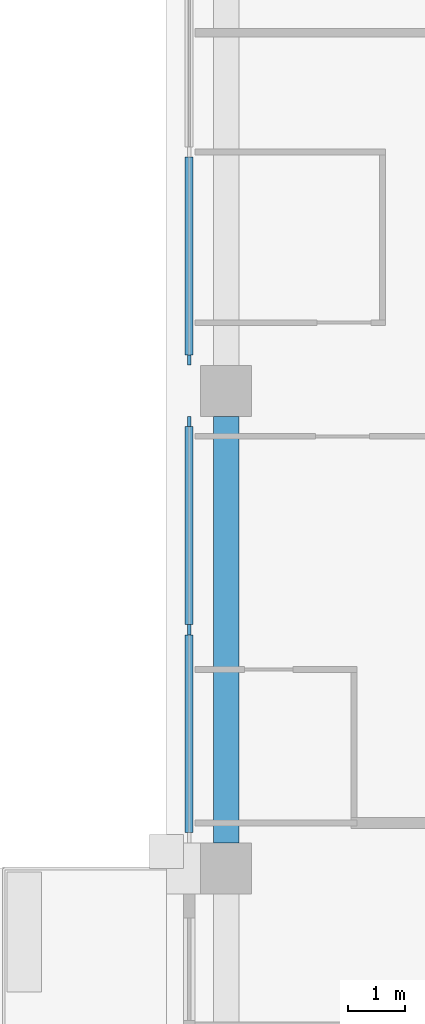
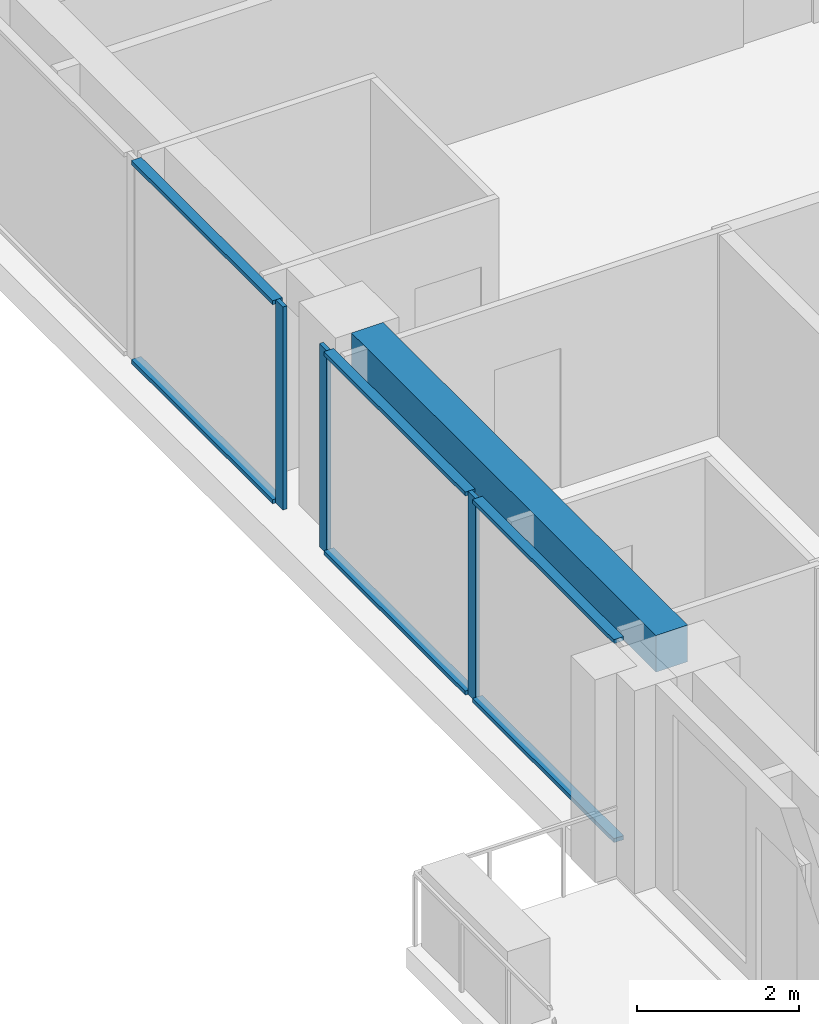
# One storey, part 3 of 18: 9 members, 1 beam, 2 elements without a shape of their own.
"""IFC4 building model written with IfcOpenShell, lengths in metres."""

from ifc_helpers import new_model, si_unit, direction, frame, origin, origin_2d, place, context, subcontext, project, spatial, rectangle, extrude, material, material_profile, profile_set, type_object, element, aggregate, save


model = new_model("IFC4")

# Units and contexts
model_context = context("Model", 3, precision=1e-05, world=origin(), true_north=direction((0.0, 1.0)))
body_context = subcontext(model_context, "Body", "Model", "MODEL_VIEW")
ifc_project = project(units=[si_unit("LENGTHUNIT", "METRE"), si_unit("AREAUNIT", "SQUARE_METRE"), si_unit("VOLUMEUNIT", "CUBIC_METRE"), si_unit("PLANEANGLEUNIT", "RADIAN"), si_unit("MASSUNIT", "GRAM", prefix="KILO")], contexts=[model_context])

# Site, building, storey
site_placement = place(None, origin())
site = spatial("IfcSite", under=ifc_project, at=site_placement, CompositionType="ELEMENT")
building_placement = place(site_placement, origin())
building = spatial("IfcBuilding", under=site, at=building_placement, Name="Vermilion Ogive Tower", CompositionType="ELEMENT")
storey_placement = place(building_placement, frame((0.0, 0.0, 230.35009765625)))
storey = spatial("IfcBuildingStorey", under=building, at=storey_placement, Name="L60", CompositionType="ELEMENT", Elevation=230.35009765625)

# Curtain wall, member
ifc_material_1 = material(Name="Low-iron laminated glazing in aluminium frame", Category="aluminium")
curtain_wall_type = type_object("IfcCurtainWallType", Name="Curtain wall CW7", PredefinedType="NOTDEFINED", material=ifc_material_1)
curtain_wall_1_placement = place(storey_placement, origin())
curtain_wall_1 = element("IfcCurtainWall", 1, at=curtain_wall_1_placement, inside=storey, type_object=curtain_wall_type, Name="Glazed skin W1", PredefinedType="NOTDEFINED")
ifc_material_2 = material(Name="Aluminium mullion", Category="aluminium")
ifc_material_profile_1 = material_profile(ifc_material_2, rectangle(XDim=0.06005859375, YDim=0.179931640625, at=origin_2d()), Name="AL 60x180")
ifc_profile_set_1 = profile_set([ifc_material_profile_1], Name="Aluminium mullion")
member_type_1 = type_object("IfcMemberType", Name="CW7 mullion 60x180", PredefinedType="MULLION", material=ifc_profile_set_1)
member_1_placement = place(storey_placement, frame((-25.85009765625, 4.739990234375, 0.0), z_axis=(0.0, 0.0, 1.0), x_axis=(1.0, 0.0, 0.0)))
member_1 = element("IfcMember", 2, at=member_1_placement, type_object=member_type_1, Name="CW7-W1 mullion 3", PredefinedType="MULLION", context=body_context, shape_type="SweptSolid", body=[
    extrude(rectangle(XDim=0.06005859375, YDim=0.179931640625, at=origin_2d()), origin(), (0.0, 0.0, 1.0), 3.0498046875),
])

# Curtain wall, members
curtain_wall_2_placement = place(storey_placement, origin())
curtain_wall_2 = element("IfcCurtainWall", 3, at=curtain_wall_2_placement, inside=storey, type_object=curtain_wall_type, Name="Glazed skin W2", PredefinedType="NOTDEFINED")
member_2_placement = place(storey_placement, frame((-25.85009765625, 3.659912109375, 0.0), z_axis=(0.0, 0.0, 1.0), x_axis=(1.0, 0.0, 0.0)))
member_2 = element("IfcMember", 4, at=member_2_placement, type_object=member_type_1, Name="CW7-W2 mullion 1", PredefinedType="MULLION", context=body_context, shape_type="SweptSolid", body=[
    extrude(rectangle(XDim=0.06005859375, YDim=0.179931640625, at=origin_2d()), origin(), (0.0, 0.0, 1.0), 3.0498046875),
])
member_3_placement = place(storey_placement, frame((-25.85009765625, 0.0, 0.0), z_axis=(0.0, 0.0, 1.0), x_axis=(1.0, 0.0, 0.0)))
member_3 = element("IfcMember", 5, at=member_3_placement, type_object=member_type_1, Name="CW7-W2 mullion 2", PredefinedType="MULLION", context=body_context, shape_type="SweptSolid", body=[
    extrude(rectangle(XDim=0.06005859375, YDim=0.179931640625, at=origin_2d()), origin(), (0.0, 0.0, 1.0), 3.0498046875),
])

# Member
ifc_material_3 = material(Name="Aluminium transom", Category="aluminium")
ifc_material_profile_2 = material_profile(ifc_material_3, rectangle(XDim=0.139892578125, YDim=0.06005859375, at=origin_2d()), Name="AL 60x140")
ifc_profile_set_2 = profile_set([ifc_material_profile_2], Name="Aluminium transom")
member_type_2 = type_object("IfcMemberType", Name="CW7 transom 60x140", PredefinedType="USERDEFINED", material=ifc_profile_set_2)
member_4_placement = place(storey_placement, frame((-25.85009765625, 8.31005859375, 0.02978515625), z_axis=(0.0, -1.0, 0.0), x_axis=(1.0, 0.0, 0.0)))
member_4 = element("IfcMember", 6, at=member_4_placement, type_object=member_type_2, Name="CW7-W1 transom 2.1", ObjectType="TRANSOM", PredefinedType="USERDEFINED", context=body_context, shape_type="SweptSolid", body=[
    extrude(rectangle(XDim=0.139892578125, YDim=0.06005859375, at=origin_2d()), origin(), (0.0, 0.0, 1.0), 3.47998046875),
])

member_5_placement = place(storey_placement, frame((-25.85009765625, 8.31005859375, 3.02001953125), z_axis=(0.0, -1.0, 0.0), x_axis=(1.0, 0.0, 0.0)))
member_5 = element("IfcMember", 7, at=member_5_placement, type_object=member_type_2, Name="CW7-W1 transom 2.2", ObjectType="TRANSOM", PredefinedType="USERDEFINED", context=body_context, shape_type="SweptSolid", body=[
    extrude(rectangle(XDim=0.139892578125, YDim=0.06005859375, at=origin_2d()), origin(), (0.0, 0.0, 1.0), 3.47998046875),
])

aggregate(curtain_wall_1, [member_1, member_4, member_5])

member_6_placement = place(storey_placement, frame((-25.85009765625, 3.570068359375, 0.02978515625), z_axis=(0.0, -1.0, 0.0), x_axis=(1.0, 0.0, 0.0)))
member_6 = element("IfcMember", 8, at=member_6_placement, type_object=member_type_2, Name="CW7-W2 transom 1.1", ObjectType="TRANSOM", PredefinedType="USERDEFINED", context=body_context, shape_type="SweptSolid", body=[
    extrude(rectangle(XDim=0.139892578125, YDim=0.06005859375, at=origin_2d()), origin(), (0.0, 0.0, 1.0), 3.47998046875),
])

member_7_placement = place(storey_placement, frame((-25.85009765625, 3.570068359375, 3.02001953125), z_axis=(0.0, -1.0, 0.0), x_axis=(1.0, 0.0, 0.0)))
member_7 = element("IfcMember", 9, at=member_7_placement, type_object=member_type_2, Name="CW7-W2 transom 1.2", ObjectType="TRANSOM", PredefinedType="USERDEFINED", context=body_context, shape_type="SweptSolid", body=[
    extrude(rectangle(XDim=0.139892578125, YDim=0.06005859375, at=origin_2d()), origin(), (0.0, 0.0, 1.0), 3.47998046875),
])

member_8_placement = place(storey_placement, frame((-25.85009765625, -0.090087890625, 0.02978515625), z_axis=(0.0, -1.0, 0.0), x_axis=(1.0, 0.0, 0.0)))
member_8 = element("IfcMember", 10, at=member_8_placement, type_object=member_type_2, Name="CW7-W2 transom 2.1", ObjectType="TRANSOM", PredefinedType="USERDEFINED", context=body_context, shape_type="SweptSolid", body=[
    extrude(rectangle(XDim=0.139892578125, YDim=0.06005859375, at=origin_2d()), origin(), (0.0, 0.0, 1.0), 3.47998046875),
])

member_9_placement = place(storey_placement, frame((-25.85009765625, -0.090087890625, 3.02001953125), z_axis=(0.0, -1.0, 0.0), x_axis=(1.0, 0.0, 0.0)))
member_9 = element("IfcMember", 11, at=member_9_placement, type_object=member_type_2, Name="CW7-W2 transom 2.2", ObjectType="TRANSOM", PredefinedType="USERDEFINED", context=body_context, shape_type="SweptSolid", body=[
    extrude(rectangle(XDim=0.139892578125, YDim=0.06005859375, at=origin_2d()), origin(), (0.0, 0.0, 1.0), 3.47998046875),
])

aggregate(curtain_wall_2, [member_2, member_3, member_6, member_7, member_8, member_9])

# Beam
ifc_material_4 = material(Name="Concrete B45", Category="concrete")
ifc_material_profile_3 = material_profile(ifc_material_4, rectangle(XDim=0.449951171875, YDim=0.550048828125, at=origin_2d()), Name="450 x 550")
ifc_profile_set_3 = profile_set([ifc_material_profile_3], Name="Concrete B45")
beam_type = type_object("IfcBeamType", Name="Edge beam 450 x 550 B45", PredefinedType="BEAM", material=ifc_profile_set_3)
beam_placement = place(storey_placement, frame((-25.199951171875, 3.75, 2.77490234375), z_axis=(0.0, -1.0, 0.0), x_axis=(1.0, 0.0, 0.0)))
element("IfcBeam", 12, at=beam_placement, inside=storey, type_object=beam_type, Name="L60-EB-15", PredefinedType="BEAM", context=body_context, shape_type="SweptSolid", body=[
    extrude(rectangle(XDim=0.449951171875, YDim=0.550048828125, at=origin_2d()), origin(), (0.0, 0.0, 1.0), 7.5),
])

save(model, "model.ifc")
